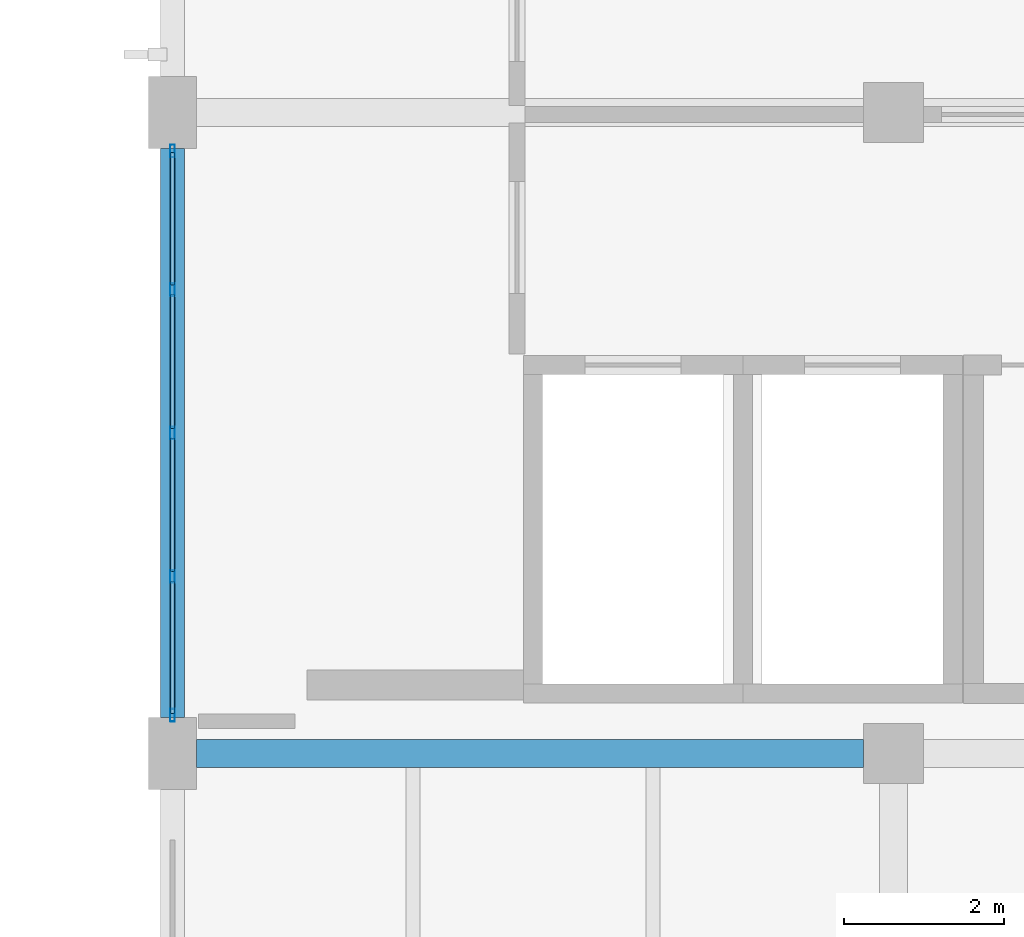
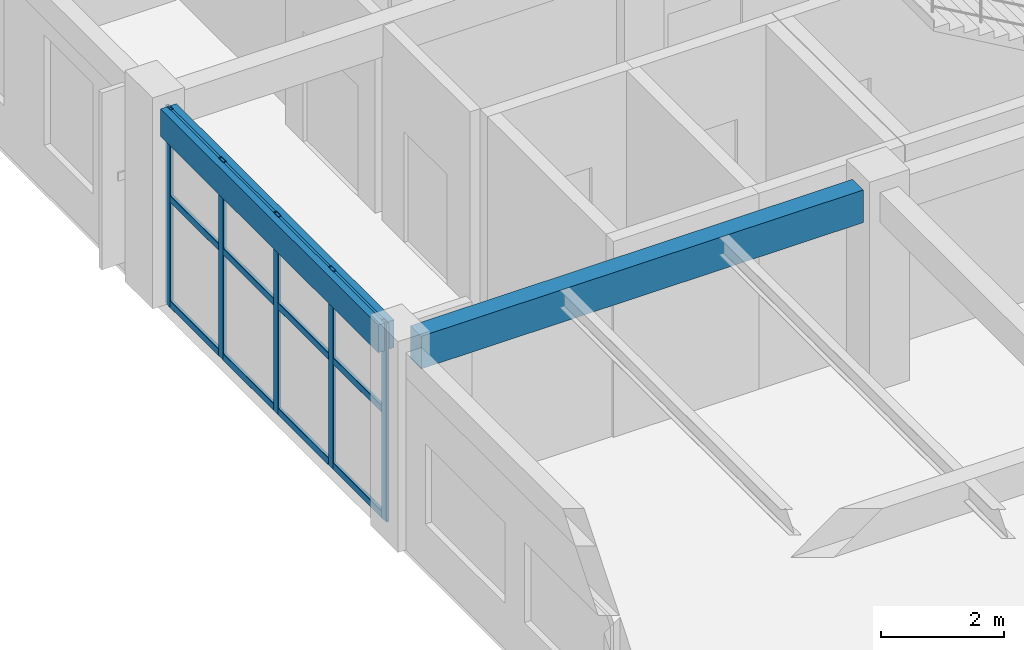
# One storey, part 79 of 128: 17 members, 2 beams, 1 element without a shape of its own.
"""IFC4 building model written with IfcOpenShell, lengths in metres."""

import ifcopenshell
import ifcopenshell.guid

model = None  # the IFC model being written
_history = None  # IfcOwnerHistory: only IFC2X3 demands one
_inside = {}  # id of a spatial element -> (the spatial element, [elements in it])
_under = {}  # id of a project, library or spatial element -> (it, [spatial elements below it])
_declared = {}  # id of a project -> (the project, [libraries it declares])
_typed = {}  # id of a type object -> (the type object, [elements of that type])
_made_of = {}  # id of a material, layer set ... -> (it, [elements and type objects made of it])


def new_model(schema):
    """Start an empty IFC model of exactly this schema.

    Asked for "IFC4X3", IfcOpenShell would pick the latest addendum, in which some entities
    have other attributes; the version numbers below select the first issue.
    IFC2X3 requires an IfcOwnerHistory on every rooted entity: one is made here for all.
    """
    global model, _history
    if schema == "IFC4X3":
        model = ifcopenshell.file(schema_version=(4, 3, 0, 0))
    else:
        model = ifcopenshell.file(schema=schema)
    _inside.clear()
    _under.clear()
    _declared.clear()
    _typed.clear()
    _made_of.clear()
    _history = None
    if model.schema == "IFC2X3":
        org = make("IfcOrganization", Name="unknown")
        user = make(
            "IfcPersonAndOrganization",
            ThePerson=make("IfcPerson", FamilyName="unknown"),
            TheOrganization=org,
        )
        app = make(
            "IfcApplication",
            ApplicationDeveloper=org,
            Version="unknown",
            ApplicationFullName="unknown",
            ApplicationIdentifier="unknown",
        )
        _history = make(
            "IfcOwnerHistory",
            OwningUser=user,
            OwningApplication=app,
            ChangeAction="ADDED",
            CreationDate=0,
        )
    return model


def make(cls, **values):
    """One entity of the class cls with the attributes given. An attribute that is None is left unset."""
    return model.create_entity(
        cls, **{name: value for name, value in values.items() if value is not None}
    )


def rooted(cls, **values):
    """An entity with a GlobalId (a new one), such as an element, a storey or a relation."""
    return make(cls, GlobalId=ifcopenshell.guid.new(), OwnerHistory=_history, **values)


def si_unit(unit_type, name, prefix=None):
    """IfcSIUnit, for example si_unit("LENGTHUNIT", "METRE", prefix="MILLI")."""
    return make("IfcSIUnit", UnitType=unit_type, Prefix=prefix, Name=name)


def derived_unit(unit_type, elements):
    """IfcDerivedUnit: a product of units, each with its exponent."""
    return make(
        "IfcDerivedUnit",
        Elements=[
            make("IfcDerivedUnitElement", Unit=unit, Exponent=power)
            for unit, power in elements
        ],
        UnitType=unit_type,
    )


def assignment(units):
    """IfcUnitAssignment: the units of a project."""
    return None if units is None else make("IfcUnitAssignment", Units=units)


def point(xyz):
    """IfcCartesianPoint."""
    return None if xyz is None else make("IfcCartesianPoint", Coordinates=xyz)


def direction(xyz):
    """IfcDirection."""
    return None if xyz is None else make("IfcDirection", DirectionRatios=xyz)


def frame(location, z_axis=None, x_axis=None):
    """IfcAxis2Placement3D, a coordinate frame: its origin and axes. An axis left out is left unset."""
    return make(
        "IfcAxis2Placement3D",
        Location=point(location),
        Axis=direction(z_axis),
        RefDirection=direction(x_axis),
    )


def frame_2d(location, x_axis=None):
    """IfcAxis2Placement2D, a coordinate frame in the plane: its origin and x axis."""
    return make(
        "IfcAxis2Placement2D", Location=point(location), RefDirection=direction(x_axis)
    )


def origin():
    """The frame at (0, 0, 0) with its axes left unset."""
    return frame((0.0, 0.0, 0.0))


def origin_2d():
    """The frame at (0, 0) in the plane with its x axis left unset."""
    return frame_2d((0.0, 0.0))


def place(relative_to, where):
    """IfcLocalPlacement: puts the frame where relative to a parent placement (None: the world)."""
    return make(
        "IfcLocalPlacement", PlacementRelTo=relative_to, RelativePlacement=where
    )


def context(
    kind, dimensions, precision=None, world=None, true_north=None, identifier=None
):
    """IfcGeometricRepresentationContext, for example the 3D "Model" context."""
    return make(
        "IfcGeometricRepresentationContext",
        ContextIdentifier=identifier,
        ContextType=kind,
        CoordinateSpaceDimension=dimensions,
        Precision=precision,
        WorldCoordinateSystem=world,
        TrueNorth=true_north,
    )


def subcontext(parent, identifier, kind, view, scale=None):
    """IfcGeometricRepresentationSubContext, for example "Body" below "Model"."""
    return make(
        "IfcGeometricRepresentationSubContext",
        ContextIdentifier=identifier,
        ContextType=kind,
        ParentContext=parent,
        TargetScale=scale,
        TargetView=view,
    )


def project(units=None, contexts=None):
    """IfcProject with its units and contexts."""
    return rooted(
        "IfcProject",
        Name="project",
        RepresentationContexts=contexts,
        UnitsInContext=assignment(units),
    )


def spatial(cls, under=None, at=None, **own):
    """A site, building, storey or space (cls), placed at a placement, below another one or the project."""
    s = rooted(cls, ObjectPlacement=at, **own)
    if under is not None:
        _under.setdefault(under.id(), (under, []))[1].append(s)
    return s


def profile(cls, at=None, kind="AREA", **sizes):
    """A parametric profile (cls). Its sizes go by their IFC names, for example OverallWidth=200.0."""
    return make(cls, ProfileType=kind, Position=at, **sizes)


def rectangle(**sizes):
    """IfcRectangleProfileDef."""
    return profile("IfcRectangleProfileDef", **sizes)


def hollow_rectangle(**sizes):
    """IfcRectangleHollowProfileDef."""
    return profile("IfcRectangleHollowProfileDef", **sizes)


def extrude(swept, where, along, depth):
    """IfcExtrudedAreaSolid: the profile swept, set in the frame where, extruded along a direction by depth."""
    return make(
        "IfcExtrudedAreaSolid",
        SweptArea=swept,
        Position=where,
        ExtrudedDirection=direction(along),
        Depth=depth,
    )


def shape(context_of_items, identifier, shape_type, items):
    """IfcShapeRepresentation: the items that make up one representation, for example the "Body"."""
    return make(
        "IfcShapeRepresentation",
        ContextOfItems=context_of_items,
        RepresentationIdentifier=identifier,
        RepresentationType=shape_type,
        Items=items,
    )


def material(Name=None, Category=None):
    """IfcMaterial."""
    return make("IfcMaterial", Name=Name, Category=Category)


def material_profile(
    of_material, cross_section, Name=None, Category=None, Priority=None
):
    """IfcMaterialProfile: a cross section and its material."""
    return make(
        "IfcMaterialProfile",
        Name=Name,
        Material=of_material,
        Profile=cross_section,
        Priority=Priority,
        Category=Category,
    )


def profile_set(profiles, Name=None, composite=None):
    """IfcMaterialProfileSet."""
    return make(
        "IfcMaterialProfileSet",
        Name=Name,
        MaterialProfiles=profiles,
        CompositeProfile=composite,
    )


def made_of(thing, what):
    """Note that an element or type object is made of a material, layer set ...; save() writes the relation."""
    if what is not None:
        _made_of.setdefault(what.id(), (what, []))[1].append(thing)
    return thing


def type_object(cls, material=None, **own):
    """A type object (cls), such as IfcWallType, which elements share."""
    return made_of(rooted(cls, **own), material)


def element(
    cls,
    number,
    at=None,
    inside=None,
    cuts=None,
    type_object=None,
    material=None,
    context=None,
    identifier="Body",
    shape_type=None,
    held_by="IfcProductDefinitionShape",
    body=None,
    shapes=None,
    **own,
):
    """One element of the class cls, such as IfcWall. Its Tag is "e" and its number.

    at: its placement. inside: the storey or other place that contains it. cuts: it is an
    opening in that element (IfcRelVoidsElement). A single representation is given by context,
    identifier, shape_type and body (its items); several are given by shapes. held_by: the class
    of the entity that holds the representations. save() writes the other relations.
    """
    e = rooted(cls, Tag="e%d" % number, ObjectPlacement=at, **own)
    if body is not None:
        shapes = [shape(context, identifier, shape_type, body)]
    if shapes is not None:
        e.Representation = make(held_by, Representations=shapes)
    if inside is not None:
        _inside.setdefault(inside.id(), (inside, []))[1].append(e)
    if cuts is not None:
        rooted(
            "IfcRelVoidsElement", RelatingBuildingElement=cuts, RelatedOpeningElement=e
        )
    if type_object is not None:
        _typed.setdefault(type_object.id(), (type_object, []))[1].append(e)
    return made_of(e, material)


def aggregate(whole, parts):
    """IfcRelAggregates: a whole, such as a stair, and the parts it consists of."""
    return rooted("IfcRelAggregates", RelatingObject=whole, RelatedObjects=parts)


def save(model, path):
    """Write the relations noted so far, then the file.

    IfcRelAggregates (storeys below a building ...), IfcRelContainedInSpatialStructure (elements
    in a storey), IfcRelDefinesByType, IfcRelAssociatesMaterial and IfcRelDeclares: one each for
    every whole, place, type object, material and project.
    """
    for whole, parts in _under.values():
        aggregate(whole, parts)
    for where, things in _inside.values():
        rooted(
            "IfcRelContainedInSpatialStructure",
            RelatedElements=things,
            RelatingStructure=where,
        )
    for kind, things in _typed.values():
        rooted("IfcRelDefinesByType", RelatedObjects=things, RelatingType=kind)
    for what, things in _made_of.values():
        rooted("IfcRelAssociatesMaterial", RelatedObjects=things, RelatingMaterial=what)
    for by, libraries in _declared.values():
        rooted("IfcRelDeclares", RelatingContext=by, RelatedDefinitions=libraries)
    model.write(path)


model = new_model("IFC4")

# Units and contexts
model_context = context("Model", 3, precision=1e-05, world=origin(), true_north=direction((0.0, 1.0)))
body_context = subcontext(model_context, "Body", "Model", "MODEL_VIEW")
ifc_project = project(units=[si_unit("LENGTHUNIT", "METRE"), si_unit("AREAUNIT", "SQUARE_METRE"), si_unit("VOLUMEUNIT", "CUBIC_METRE"), si_unit("PLANEANGLEUNIT", "RADIAN"), si_unit("MASSUNIT", "GRAM", prefix="KILO"), derived_unit("THERMALTRANSMITTANCEUNIT", [(si_unit("MASSUNIT", "GRAM", prefix="KILO"), 1), (si_unit("TIMEUNIT", "SECOND"), -3), (si_unit("THERMODYNAMICTEMPERATUREUNIT", "KELVIN"), -1)])], contexts=[model_context])

# Site, building, storey
site_placement = place(None, origin())
site = spatial("IfcSite", under=ifc_project, at=site_placement, CompositionType="ELEMENT")
building_placement = place(site_placement, origin())
building = spatial("IfcBuilding", under=site, at=building_placement, Name="Zhenchuan Archway Interchange", CompositionType="ELEMENT")
storey_placement = place(building_placement, frame((0.0, 0.0, 14.39990234375)))
storey = spatial("IfcBuildingStorey", under=building, at=storey_placement, Name="L03", CompositionType="ELEMENT", Elevation=14.39990234375)

# Beam
ifc_material_1 = material(Name="Concrete C40", Category="concrete")
ifc_material_profile_1 = material_profile(ifc_material_1, rectangle(XDim=0.35009765625, YDim=0.64990234375, at=origin_2d()), Name="RC 350x650")
ifc_profile_set_1 = profile_set([ifc_material_profile_1], Name="Concrete C40")
beam_type_1 = type_object("IfcBeamType", Name="BM_RC_350x650", PredefinedType="BEAM", material=ifc_profile_set_1)
beam_1_placement = place(storey_placement, frame((144.300048828125, 48.0, 3.60498046875), z_axis=(1.0, 0.0, 0.0), x_axis=(0.0, 1.0, 0.0)))
element("IfcBeam", 1, at=beam_1_placement, inside=storey, type_object=beam_type_1, Name="Beam G:17-18 (L03)", PredefinedType="BEAM", context=body_context, shape_type="SweptSolid", body=[
    extrude(rectangle(XDim=0.35009765625, YDim=0.64990234375, at=origin_2d()), origin(), (0.0, 0.0, 1.0), 8.324951171875),
])

# Curtain wall, members
ifc_material_2 = material(Name="Anodised Aluminium", Category="aluminium")
curtain_wall_type = type_object("IfcCurtainWallType", Name="CW_UNIT_2", PredefinedType="NOTDEFINED", material=ifc_material_2)
curtain_wall_placement = place(storey_placement, origin())
curtain_wall = element("IfcCurtainWall", 2, at=curtain_wall_placement, inside=storey, type_object=curtain_wall_type, Name="Unitised curtain wall CW:L03:169", PredefinedType="NOTDEFINED")
ifc_material_profile_2 = material_profile(ifc_material_2, hollow_rectangle(XDim=0.06005859375, YDim=0.159912109375, WallThickness=0.00390625, InnerFilletRadius=0.00390625, OuterFilletRadius=0.008056640625, at=origin_2d()), Name="ALU 160x60x4")
ifc_profile_set_2 = profile_set([ifc_material_profile_2], Name="Anodised Aluminium")
member_type_1 = type_object("IfcMemberType", Name="CW_MUL_150", PredefinedType="MULLION", material=ifc_profile_set_2)
member_1_placement = place(storey_placement, frame((144.0, 48.47802734375, 0.0), z_axis=(0.0, 0.0, 1.0), x_axis=(1.0, 0.0, 0.0)))
member_1 = element("IfcMember", 3, at=member_1_placement, type_object=member_type_1, Name="CW:L03:169 mullion 0", PredefinedType="MULLION", context=body_context, shape_type="SweptSolid", body=[
    extrude(hollow_rectangle(XDim=0.06005859375, YDim=0.159912109375, WallThickness=0.00390625, InnerFilletRadius=0.00390625, OuterFilletRadius=0.008056640625, at=origin_2d()), origin(), (0.0, 0.0, 1.0), 3.940185546875),
])
member_2_placement = place(storey_placement, frame((144.0, 50.208984375, 0.0), z_axis=(0.0, 0.0, 1.0), x_axis=(1.0, 0.0, 0.0)))
member_2 = element("IfcMember", 4, at=member_2_placement, type_object=member_type_1, Name="CW:L03:169 mullion 1", PredefinedType="MULLION", context=body_context, shape_type="SweptSolid", body=[
    extrude(hollow_rectangle(XDim=0.06005859375, YDim=0.159912109375, WallThickness=0.00390625, InnerFilletRadius=0.00390625, OuterFilletRadius=0.008056640625, at=origin_2d()), origin(), (0.0, 0.0, 1.0), 3.940185546875),
])
member_3_placement = place(storey_placement, frame((144.0, 52.0, 0.0), z_axis=(0.0, 0.0, 1.0), x_axis=(1.0, 0.0, 0.0)))
member_3 = element("IfcMember", 5, at=member_3_placement, type_object=member_type_1, Name="CW:L03:169 mullion 2", PredefinedType="MULLION", context=body_context, shape_type="SweptSolid", body=[
    extrude(hollow_rectangle(XDim=0.06005859375, YDim=0.159912109375, WallThickness=0.00390625, InnerFilletRadius=0.00390625, OuterFilletRadius=0.008056640625, at=origin_2d()), origin(), (0.0, 0.0, 1.0), 3.940185546875),
])
member_4_placement = place(storey_placement, frame((144.0, 53.791015625, 0.0), z_axis=(0.0, 0.0, 1.0), x_axis=(1.0, 0.0, 0.0)))
member_4 = element("IfcMember", 6, at=member_4_placement, type_object=member_type_1, Name="CW:L03:169 mullion 3", PredefinedType="MULLION", context=body_context, shape_type="SweptSolid", body=[
    extrude(hollow_rectangle(XDim=0.06005859375, YDim=0.159912109375, WallThickness=0.00390625, InnerFilletRadius=0.00390625, OuterFilletRadius=0.008056640625, at=origin_2d()), origin(), (0.0, 0.0, 1.0), 3.940185546875),
])
member_5_placement = place(storey_placement, frame((144.0, 55.52197265625, 0.0), z_axis=(0.0, 0.0, 1.0), x_axis=(1.0, 0.0, 0.0)))
member_5 = element("IfcMember", 7, at=member_5_placement, type_object=member_type_1, Name="CW:L03:169 mullion 4", PredefinedType="MULLION", context=body_context, shape_type="SweptSolid", body=[
    extrude(hollow_rectangle(XDim=0.06005859375, YDim=0.159912109375, WallThickness=0.00390625, InnerFilletRadius=0.00390625, OuterFilletRadius=0.008056640625, at=origin_2d()), origin(), (0.0, 0.0, 1.0), 3.940185546875),
])
ifc_material_profile_3 = material_profile(ifc_material_2, hollow_rectangle(XDim=0.06005859375, YDim=0.139892578125, WallThickness=0.00341796875, InnerFilletRadius=0.00341796875, OuterFilletRadius=0.007080078125, at=origin_2d()), Name="ALU 140x60x3.5")
ifc_profile_set_3 = profile_set([ifc_material_profile_3], Name="Anodised Aluminium")
member_type_2 = type_object("IfcMemberType", Name="CW_TRN_140", PredefinedType="USERDEFINED", material=ifc_profile_set_3)
member_6_placement = place(storey_placement, frame((144.0, 48.498046875, 0.06005859375), z_axis=(0.0, 1.0, 0.0), x_axis=(-1.0, 0.0, 0.0)))
member_6 = element("IfcMember", 8, at=member_6_placement, type_object=member_type_2, Name="CW:L03:169 transom 0-1", ObjectType="TRANSOM", PredefinedType="USERDEFINED", context=body_context, shape_type="SweptSolid", body=[
    extrude(hollow_rectangle(XDim=0.06005859375, YDim=0.139892578125, WallThickness=0.00341796875, InnerFilletRadius=0.00341796875, OuterFilletRadius=0.007080078125, at=origin_2d()), origin(), (0.0, 0.0, 1.0), 1.65087890625),
])
member_7_placement = place(storey_placement, frame((144.0, 48.498046875, 2.156005859375), z_axis=(0.0, 1.0, 0.0), x_axis=(-1.0, 0.0, 0.0)))
member_7 = element("IfcMember", 9, at=member_7_placement, type_object=member_type_2, Name="CW:L03:169 transom 0-2", ObjectType="TRANSOM", PredefinedType="USERDEFINED", context=body_context, shape_type="SweptSolid", body=[
    extrude(hollow_rectangle(XDim=0.06005859375, YDim=0.139892578125, WallThickness=0.00341796875, InnerFilletRadius=0.00341796875, OuterFilletRadius=0.007080078125, at=origin_2d()), origin(), (0.0, 0.0, 1.0), 1.65087890625),
])
member_8_placement = place(storey_placement, frame((144.0, 48.498046875, 3.860107421875), z_axis=(0.0, 1.0, 0.0), x_axis=(-1.0, 0.0, 0.0)))
member_8 = element("IfcMember", 10, at=member_8_placement, type_object=member_type_2, Name="CW:L03:169 transom 0-3", ObjectType="TRANSOM", PredefinedType="USERDEFINED", context=body_context, shape_type="SweptSolid", body=[
    extrude(hollow_rectangle(XDim=0.06005859375, YDim=0.139892578125, WallThickness=0.00341796875, InnerFilletRadius=0.00341796875, OuterFilletRadius=0.007080078125, at=origin_2d()), origin(), (0.0, 0.0, 1.0), 1.65087890625),
])
member_9_placement = place(storey_placement, frame((144.0, 50.26904296875, 0.06005859375), z_axis=(0.0, 1.0, 0.0), x_axis=(-1.0, 0.0, 0.0)))
member_9 = element("IfcMember", 11, at=member_9_placement, type_object=member_type_2, Name="CW:L03:169 transom 1-1", ObjectType="TRANSOM", PredefinedType="USERDEFINED", context=body_context, shape_type="SweptSolid", body=[
    extrude(hollow_rectangle(XDim=0.06005859375, YDim=0.139892578125, WallThickness=0.00341796875, InnerFilletRadius=0.00341796875, OuterFilletRadius=0.007080078125, at=origin_2d()), origin(), (0.0, 0.0, 1.0), 1.6708984375),
])
member_10_placement = place(storey_placement, frame((144.0, 50.26904296875, 2.156005859375), z_axis=(0.0, 1.0, 0.0), x_axis=(-1.0, 0.0, 0.0)))
member_10 = element("IfcMember", 12, at=member_10_placement, type_object=member_type_2, Name="CW:L03:169 transom 1-2", ObjectType="TRANSOM", PredefinedType="USERDEFINED", context=body_context, shape_type="SweptSolid", body=[
    extrude(hollow_rectangle(XDim=0.06005859375, YDim=0.139892578125, WallThickness=0.00341796875, InnerFilletRadius=0.00341796875, OuterFilletRadius=0.007080078125, at=origin_2d()), origin(), (0.0, 0.0, 1.0), 1.6708984375),
])
member_11_placement = place(storey_placement, frame((144.0, 50.26904296875, 3.860107421875), z_axis=(0.0, 1.0, 0.0), x_axis=(-1.0, 0.0, 0.0)))
member_11 = element("IfcMember", 13, at=member_11_placement, type_object=member_type_2, Name="CW:L03:169 transom 1-3", ObjectType="TRANSOM", PredefinedType="USERDEFINED", context=body_context, shape_type="SweptSolid", body=[
    extrude(hollow_rectangle(XDim=0.06005859375, YDim=0.139892578125, WallThickness=0.00341796875, InnerFilletRadius=0.00341796875, OuterFilletRadius=0.007080078125, at=origin_2d()), origin(), (0.0, 0.0, 1.0), 1.6708984375),
])
member_12_placement = place(storey_placement, frame((144.0, 52.06005859375, 0.06005859375), z_axis=(0.0, 1.0, 0.0), x_axis=(-1.0, 0.0, 0.0)))
member_12 = element("IfcMember", 14, at=member_12_placement, type_object=member_type_2, Name="CW:L03:169 transom 2-1", ObjectType="TRANSOM", PredefinedType="USERDEFINED", context=body_context, shape_type="SweptSolid", body=[
    extrude(hollow_rectangle(XDim=0.06005859375, YDim=0.139892578125, WallThickness=0.00341796875, InnerFilletRadius=0.00341796875, OuterFilletRadius=0.007080078125, at=origin_2d()), origin(), (0.0, 0.0, 1.0), 1.6708984375),
])
member_13_placement = place(storey_placement, frame((144.0, 52.06005859375, 2.156005859375), z_axis=(0.0, 1.0, 0.0), x_axis=(-1.0, 0.0, 0.0)))
member_13 = element("IfcMember", 15, at=member_13_placement, type_object=member_type_2, Name="CW:L03:169 transom 2-2", ObjectType="TRANSOM", PredefinedType="USERDEFINED", context=body_context, shape_type="SweptSolid", body=[
    extrude(hollow_rectangle(XDim=0.06005859375, YDim=0.139892578125, WallThickness=0.00341796875, InnerFilletRadius=0.00341796875, OuterFilletRadius=0.007080078125, at=origin_2d()), origin(), (0.0, 0.0, 1.0), 1.6708984375),
])
member_14_placement = place(storey_placement, frame((144.0, 52.06005859375, 3.860107421875), z_axis=(0.0, 1.0, 0.0), x_axis=(-1.0, 0.0, 0.0)))
member_14 = element("IfcMember", 16, at=member_14_placement, type_object=member_type_2, Name="CW:L03:169 transom 2-3", ObjectType="TRANSOM", PredefinedType="USERDEFINED", context=body_context, shape_type="SweptSolid", body=[
    extrude(hollow_rectangle(XDim=0.06005859375, YDim=0.139892578125, WallThickness=0.00341796875, InnerFilletRadius=0.00341796875, OuterFilletRadius=0.007080078125, at=origin_2d()), origin(), (0.0, 0.0, 1.0), 1.6708984375),
])
member_15_placement = place(storey_placement, frame((144.0, 53.85107421875, 0.06005859375), z_axis=(0.0, 1.0, 0.0), x_axis=(-1.0, 0.0, 0.0)))
member_15 = element("IfcMember", 17, at=member_15_placement, type_object=member_type_2, Name="CW:L03:169 transom 3-1", ObjectType="TRANSOM", PredefinedType="USERDEFINED", context=body_context, shape_type="SweptSolid", body=[
    extrude(hollow_rectangle(XDim=0.06005859375, YDim=0.139892578125, WallThickness=0.00341796875, InnerFilletRadius=0.00341796875, OuterFilletRadius=0.007080078125, at=origin_2d()), origin(), (0.0, 0.0, 1.0), 1.65087890625),
])
member_16_placement = place(storey_placement, frame((144.0, 53.85107421875, 2.156005859375), z_axis=(0.0, 1.0, 0.0), x_axis=(-1.0, 0.0, 0.0)))
member_16 = element("IfcMember", 18, at=member_16_placement, type_object=member_type_2, Name="CW:L03:169 transom 3-2", ObjectType="TRANSOM", PredefinedType="USERDEFINED", context=body_context, shape_type="SweptSolid", body=[
    extrude(hollow_rectangle(XDim=0.06005859375, YDim=0.139892578125, WallThickness=0.00341796875, InnerFilletRadius=0.00341796875, OuterFilletRadius=0.007080078125, at=origin_2d()), origin(), (0.0, 0.0, 1.0), 1.65087890625),
])
member_17_placement = place(storey_placement, frame((144.0, 53.85107421875, 3.860107421875), z_axis=(0.0, 1.0, 0.0), x_axis=(-1.0, 0.0, 0.0)))
member_17 = element("IfcMember", 19, at=member_17_placement, type_object=member_type_2, Name="CW:L03:169 transom 3-3", ObjectType="TRANSOM", PredefinedType="USERDEFINED", context=body_context, shape_type="SweptSolid", body=[
    extrude(hollow_rectangle(XDim=0.06005859375, YDim=0.139892578125, WallThickness=0.00341796875, InnerFilletRadius=0.00341796875, OuterFilletRadius=0.007080078125, at=origin_2d()), origin(), (0.0, 0.0, 1.0), 1.65087890625),
])
aggregate(curtain_wall, [member_1, member_2, member_3, member_4, member_5, member_6, member_7, member_8, member_9, member_10, member_11, member_12, member_13, member_14, member_15, member_16, member_17])

# Beam
ifc_material_profile_4 = material_profile(ifc_material_1, rectangle(XDim=0.300048828125, YDim=0.550048828125, at=origin_2d()), Name="RC 300x550")
ifc_profile_set_4 = profile_set([ifc_material_profile_4], Name="Concrete C40")
beam_type_2 = type_object("IfcBeamType", Name="SP_RC_300x550", PredefinedType="SPANDREL", material=ifc_profile_set_4)
beam_2_placement = place(storey_placement, frame((144.0, 48.449951171875, 3.655029296875), z_axis=(0.0, 1.0, 0.0), x_axis=(-1.0, 0.0, 0.0)))
element("IfcBeam", 20, at=beam_2_placement, inside=storey, type_object=beam_type_2, Name="Beam 17:G-H (L03)", PredefinedType="SPANDREL", context=body_context, shape_type="SweptSolid", body=[
    extrude(rectangle(XDim=0.300048828125, YDim=0.550048828125, at=origin_2d()), origin(), (0.0, 0.0, 1.0), 7.10009765625),
])

save(model, "model.ifc")
